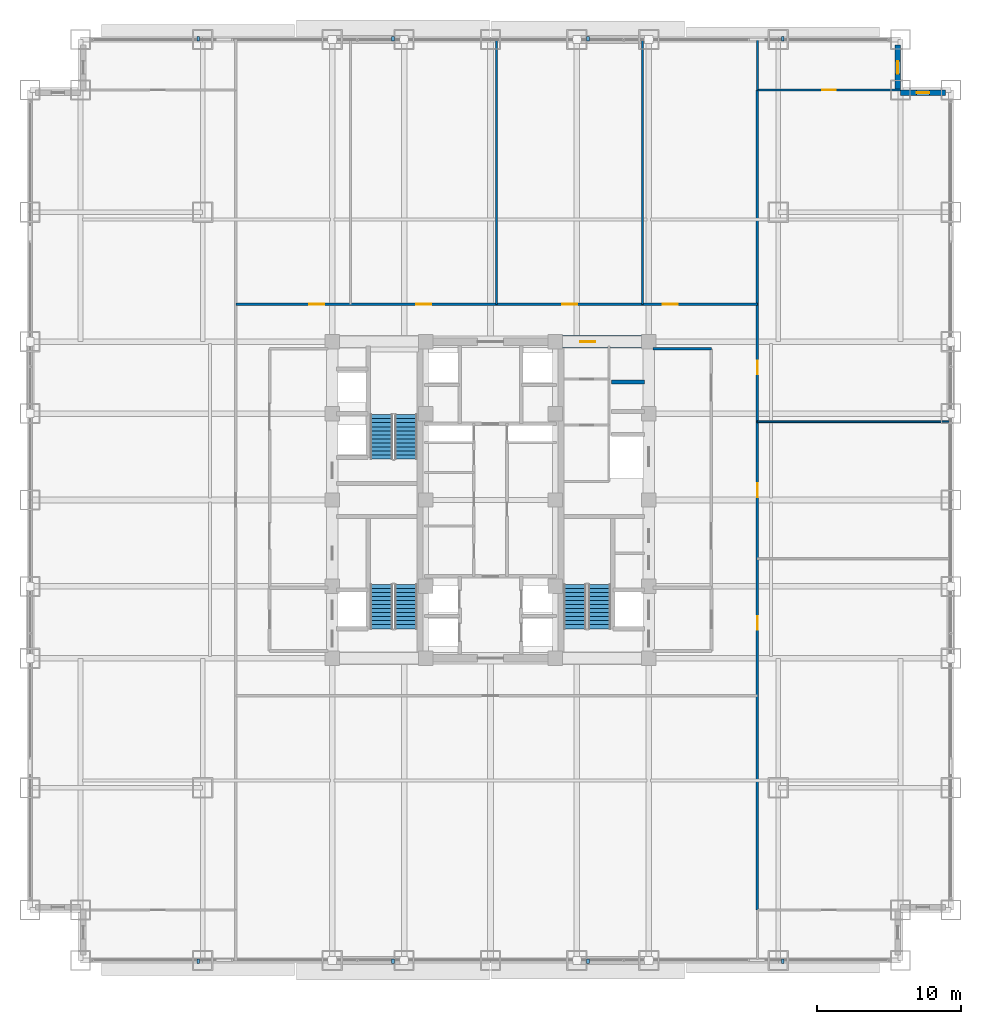
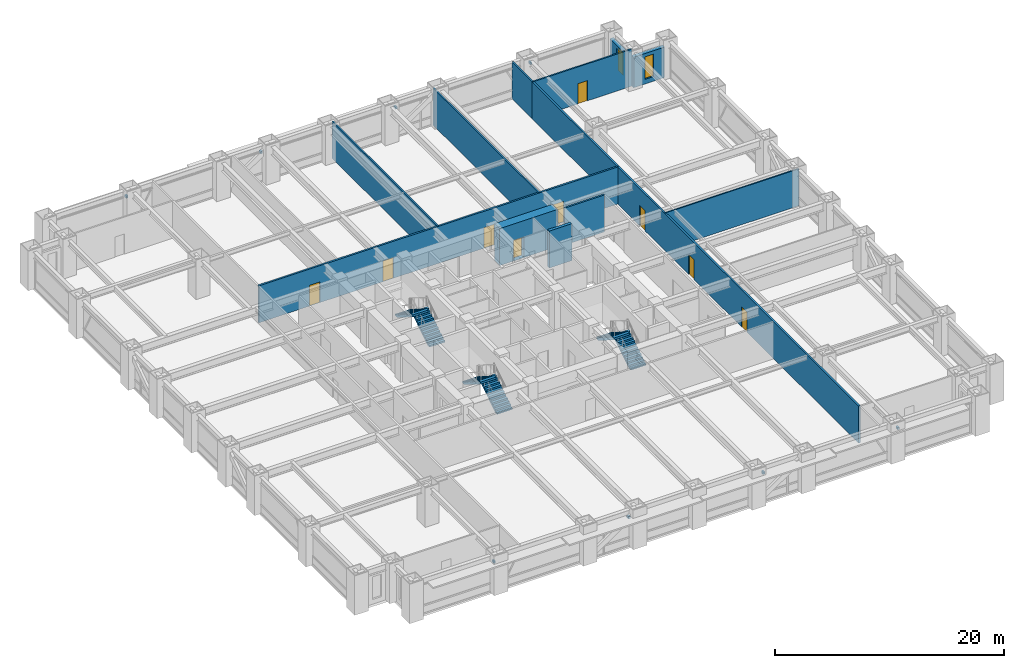
# One storey, part 26 of 31: 12 walls, 9 doors, 8 discrete accessories, 6 stair flights, 2 windows, 11 openings, 3 elements without a shape of their own.
"""IFC4 building model written with IfcOpenShell, lengths in metres."""

import ifcopenshell
import ifcopenshell.guid

model = None  # the IFC model being written
_history = None  # IfcOwnerHistory: only IFC2X3 demands one
_inside = {}  # id of a spatial element -> (the spatial element, [elements in it])
_under = {}  # id of a project, library or spatial element -> (it, [spatial elements below it])
_declared = {}  # id of a project -> (the project, [libraries it declares])
_typed = {}  # id of a type object -> (the type object, [elements of that type])
_made_of = {}  # id of a material, layer set ... -> (it, [elements and type objects made of it])


def new_model(schema):
    """Start an empty IFC model of exactly this schema.

    Asked for "IFC4X3", IfcOpenShell would pick the latest addendum, in which some entities
    have other attributes; the version numbers below select the first issue.
    IFC2X3 requires an IfcOwnerHistory on every rooted entity: one is made here for all.
    """
    global model, _history
    if schema == "IFC4X3":
        model = ifcopenshell.file(schema_version=(4, 3, 0, 0))
    else:
        model = ifcopenshell.file(schema=schema)
    _inside.clear()
    _under.clear()
    _declared.clear()
    _typed.clear()
    _made_of.clear()
    _history = None
    if model.schema == "IFC2X3":
        org = make("IfcOrganization", Name="unknown")
        user = make(
            "IfcPersonAndOrganization",
            ThePerson=make("IfcPerson", FamilyName="unknown"),
            TheOrganization=org,
        )
        app = make(
            "IfcApplication",
            ApplicationDeveloper=org,
            Version="unknown",
            ApplicationFullName="unknown",
            ApplicationIdentifier="unknown",
        )
        _history = make(
            "IfcOwnerHistory",
            OwningUser=user,
            OwningApplication=app,
            ChangeAction="ADDED",
            CreationDate=0,
        )
    return model


def make(cls, **values):
    """One entity of the class cls with the attributes given. An attribute that is None is left unset."""
    return model.create_entity(
        cls, **{name: value for name, value in values.items() if value is not None}
    )


def rooted(cls, **values):
    """An entity with a GlobalId (a new one), such as an element, a storey or a relation."""
    return make(cls, GlobalId=ifcopenshell.guid.new(), OwnerHistory=_history, **values)


def si_unit(unit_type, name, prefix=None):
    """IfcSIUnit, for example si_unit("LENGTHUNIT", "METRE", prefix="MILLI")."""
    return make("IfcSIUnit", UnitType=unit_type, Prefix=prefix, Name=name)


def assignment(units):
    """IfcUnitAssignment: the units of a project."""
    return None if units is None else make("IfcUnitAssignment", Units=units)


def point(xyz):
    """IfcCartesianPoint."""
    return None if xyz is None else make("IfcCartesianPoint", Coordinates=xyz)


def direction(xyz):
    """IfcDirection."""
    return None if xyz is None else make("IfcDirection", DirectionRatios=xyz)


def frame(location, z_axis=None, x_axis=None):
    """IfcAxis2Placement3D, a coordinate frame: its origin and axes. An axis left out is left unset."""
    return make(
        "IfcAxis2Placement3D",
        Location=point(location),
        Axis=direction(z_axis),
        RefDirection=direction(x_axis),
    )


def frame_2d(location, x_axis=None):
    """IfcAxis2Placement2D, a coordinate frame in the plane: its origin and x axis."""
    return make(
        "IfcAxis2Placement2D", Location=point(location), RefDirection=direction(x_axis)
    )


def origin():
    """The frame at (0, 0, 0) with its axes left unset."""
    return frame((0.0, 0.0, 0.0))


def origin_2d():
    """The frame at (0, 0) in the plane with its x axis left unset."""
    return frame_2d((0.0, 0.0))


def place(relative_to, where):
    """IfcLocalPlacement: puts the frame where relative to a parent placement (None: the world)."""
    return make(
        "IfcLocalPlacement", PlacementRelTo=relative_to, RelativePlacement=where
    )


def context(
    kind, dimensions, precision=None, world=None, true_north=None, identifier=None
):
    """IfcGeometricRepresentationContext, for example the 3D "Model" context."""
    return make(
        "IfcGeometricRepresentationContext",
        ContextIdentifier=identifier,
        ContextType=kind,
        CoordinateSpaceDimension=dimensions,
        Precision=precision,
        WorldCoordinateSystem=world,
        TrueNorth=true_north,
    )


def subcontext(parent, identifier, kind, view, scale=None):
    """IfcGeometricRepresentationSubContext, for example "Body" below "Model"."""
    return make(
        "IfcGeometricRepresentationSubContext",
        ContextIdentifier=identifier,
        ContextType=kind,
        ParentContext=parent,
        TargetScale=scale,
        TargetView=view,
    )


def project(units=None, contexts=None):
    """IfcProject with its units and contexts."""
    return rooted(
        "IfcProject",
        Name="project",
        RepresentationContexts=contexts,
        UnitsInContext=assignment(units),
    )


def spatial(cls, under=None, at=None, **own):
    """A site, building, storey or space (cls), placed at a placement, below another one or the project."""
    s = rooted(cls, ObjectPlacement=at, **own)
    if under is not None:
        _under.setdefault(under.id(), (under, []))[1].append(s)
    return s


def polyline(points):
    """IfcPolyline through the points."""
    return make("IfcPolyline", Points=[point(p) for p in points])


def profile(cls, at=None, kind="AREA", **sizes):
    """A parametric profile (cls). Its sizes go by their IFC names, for example OverallWidth=200.0."""
    return make(cls, ProfileType=kind, Position=at, **sizes)


def rectangle(**sizes):
    """IfcRectangleProfileDef."""
    return profile("IfcRectangleProfileDef", **sizes)


def outline(outer, holes=None, kind="AREA"):
    """IfcArbitraryClosedProfileDef: a profile drawn as a closed curve; with holes, ...WithVoids."""
    if holes is None:
        return make("IfcArbitraryClosedProfileDef", ProfileType=kind, OuterCurve=outer)
    return make(
        "IfcArbitraryProfileDefWithVoids",
        ProfileType=kind,
        OuterCurve=outer,
        InnerCurves=holes,
    )


def extrude(swept, where, along, depth):
    """IfcExtrudedAreaSolid: the profile swept, set in the frame where, extruded along a direction by depth."""
    return make(
        "IfcExtrudedAreaSolid",
        SweptArea=swept,
        Position=where,
        ExtrudedDirection=direction(along),
        Depth=depth,
    )


def shape(context_of_items, identifier, shape_type, items):
    """IfcShapeRepresentation: the items that make up one representation, for example the "Body"."""
    return make(
        "IfcShapeRepresentation",
        ContextOfItems=context_of_items,
        RepresentationIdentifier=identifier,
        RepresentationType=shape_type,
        Items=items,
    )


def source(mapping_origin, context_of_items, identifier, shape_type, items):
    """IfcRepresentationMap: a shape defined once, which mapped items show again and again."""
    return make(
        "IfcRepresentationMap",
        MappingOrigin=mapping_origin,
        MappedRepresentation=shape(context_of_items, identifier, shape_type, items),
    )


def transform(
    local_origin,
    x_axis=None,
    y_axis=None,
    z_axis=None,
    scale=None,
    scale2=None,
    scale3=None,
    uniform=True,
):
    """IfcCartesianTransformationOperator3D, or its non-uniform kind. x_axis, y_axis, z_axis: its Axis1, 2, 3."""
    if uniform:
        return make(
            "IfcCartesianTransformationOperator3D",
            Axis1=direction(x_axis),
            Axis2=direction(y_axis),
            LocalOrigin=point(local_origin),
            Scale=scale,
            Axis3=direction(z_axis),
        )
    return make(
        "IfcCartesianTransformationOperator3DnonUniform",
        Axis1=direction(x_axis),
        Axis2=direction(y_axis),
        LocalOrigin=point(local_origin),
        Scale=scale,
        Axis3=direction(z_axis),
        Scale2=scale2,
        Scale3=scale3,
    )


def mapped(mapping_source, mapping_target):
    """IfcMappedItem: shows the shape of a source again, moved by a transform."""
    return make(
        "IfcMappedItem", MappingSource=mapping_source, MappingTarget=mapping_target
    )


def material(Name=None, Category=None):
    """IfcMaterial."""
    return make("IfcMaterial", Name=Name, Category=Category)


def layer(
    of_material, thickness, ventilated=None, Name=None, Category=None, Priority=None
):
    """IfcMaterialLayer: one layer of a wall or slab, of a material (None: an air gap)."""
    return make(
        "IfcMaterialLayer",
        Material=of_material,
        LayerThickness=thickness,
        IsVentilated=ventilated,
        Name=Name,
        Category=Category,
        Priority=Priority,
    )


def layer_set(layers, Name=None):
    """IfcMaterialLayerSet."""
    return make("IfcMaterialLayerSet", MaterialLayers=layers, LayerSetName=Name)


def made_of(thing, what):
    """Note that an element or type object is made of a material, layer set ...; save() writes the relation."""
    if what is not None:
        _made_of.setdefault(what.id(), (what, []))[1].append(thing)
    return thing


def type_object(cls, material=None, **own):
    """A type object (cls), such as IfcWallType, which elements share."""
    return made_of(rooted(cls, **own), material)


def element(
    cls,
    number,
    at=None,
    inside=None,
    cuts=None,
    type_object=None,
    material=None,
    context=None,
    identifier="Body",
    shape_type=None,
    held_by="IfcProductDefinitionShape",
    body=None,
    shapes=None,
    **own,
):
    """One element of the class cls, such as IfcWall. Its Tag is "e" and its number.

    at: its placement. inside: the storey or other place that contains it. cuts: it is an
    opening in that element (IfcRelVoidsElement). A single representation is given by context,
    identifier, shape_type and body (its items); several are given by shapes. held_by: the class
    of the entity that holds the representations. save() writes the other relations.
    """
    e = rooted(cls, Tag="e%d" % number, ObjectPlacement=at, **own)
    if body is not None:
        shapes = [shape(context, identifier, shape_type, body)]
    if shapes is not None:
        e.Representation = make(held_by, Representations=shapes)
    if inside is not None:
        _inside.setdefault(inside.id(), (inside, []))[1].append(e)
    if cuts is not None:
        rooted(
            "IfcRelVoidsElement", RelatingBuildingElement=cuts, RelatedOpeningElement=e
        )
    if type_object is not None:
        _typed.setdefault(type_object.id(), (type_object, []))[1].append(e)
    return made_of(e, material)


def fill(opening, filler):
    """IfcRelFillsElement: the door or window that sits in an opening."""
    return rooted(
        "IfcRelFillsElement",
        RelatingOpeningElement=opening,
        RelatedBuildingElement=filler,
    )


def aggregate(whole, parts):
    """IfcRelAggregates: a whole, such as a stair, and the parts it consists of."""
    return rooted("IfcRelAggregates", RelatingObject=whole, RelatedObjects=parts)


def save(model, path):
    """Write the relations noted so far, then the file.

    IfcRelAggregates (storeys below a building ...), IfcRelContainedInSpatialStructure (elements
    in a storey), IfcRelDefinesByType, IfcRelAssociatesMaterial and IfcRelDeclares: one each for
    every whole, place, type object, material and project.
    """
    for whole, parts in _under.values():
        aggregate(whole, parts)
    for where, things in _inside.values():
        rooted(
            "IfcRelContainedInSpatialStructure",
            RelatedElements=things,
            RelatingStructure=where,
        )
    for kind, things in _typed.values():
        rooted("IfcRelDefinesByType", RelatedObjects=things, RelatingType=kind)
    for what, things in _made_of.values():
        rooted("IfcRelAssociatesMaterial", RelatedObjects=things, RelatingMaterial=what)
    for by, libraries in _declared.values():
        rooted("IfcRelDeclares", RelatingContext=by, RelatedDefinitions=libraries)
    model.write(path)


model = new_model("IFC4")

# Units and contexts
model_context = context("Model", 3, precision=1e-05, world=origin(), true_north=direction((0.0, 1.0)))
body_context = subcontext(model_context, "Body", "Model", "MODEL_VIEW")
ifc_project = project(units=[si_unit("LENGTHUNIT", "METRE"), si_unit("AREAUNIT", "SQUARE_METRE"), si_unit("VOLUMEUNIT", "CUBIC_METRE"), si_unit("PLANEANGLEUNIT", "RADIAN"), si_unit("MASSUNIT", "GRAM", prefix="KILO")], contexts=[model_context])

# Site, building, storey
site_placement = place(None, origin())
site = spatial("IfcSite", under=ifc_project, at=site_placement, CompositionType="ELEMENT")
building_placement = place(site_placement, origin())
building = spatial("IfcBuilding", under=site, at=building_placement, Name="Khorayat Bourse Tower", CompositionType="ELEMENT")
storey_placement = place(building_placement, frame((0.0, 0.0, 41.0)))
storey = spatial("IfcBuildingStorey", under=building, at=storey_placement, Name="L08", CompositionType="ELEMENT", Elevation=41.0)

# Wall, opening, door
ifc_material_1 = material(Name="Concrete C72/90", Category="concrete")
ifc_layer_1 = layer(ifc_material_1, 0.89990234375)
ifc_layer_set_1 = layer_set([ifc_layer_1], Name="Concrete C72/90")
wall_type_1 = type_object("IfcWallType", Name="WAL-CORE-900", PredefinedType="SHEAR", material=ifc_layer_set_1)
shared_shape_1 = source(origin(), body_context, "Body", "SweptSolid", [
    extrude(rectangle(XDim=5.849853515625, YDim=0.89990234375, at=frame_2d((2.9248046875, 0.0))), origin(), (0.0, 0.0, 1.0), 3.93994140625),
])
wall_1_placement = place(storey_placement, frame((4.85009765625, 11.0, 0.0), z_axis=(0.0, 0.0, 1.0), x_axis=(1.0, 0.0, 0.0)))
wall_1 = element("IfcWall", 1, at=wall_1_placement, inside=storey, type_object=wall_type_1, Name="L08 Core Shear Wall PIER-EN", PredefinedType="SHEAR", context=body_context, shape_type="MappedRepresentation", body=[
    mapped(shared_shape_1, transform((0.0, 0.0, 0.0), scale=1.0)),
])
shared_shape_2 = source(origin(), body_context, "Body", "SweptSolid", [
    extrude(rectangle(XDim=1.050048828125, YDim=2.199951171875, at=frame_2d((0.52490234375, 1.10009765625))), frame((0.0, 0.4599609375, 0.0), z_axis=(0.0, -1.0, 0.0), x_axis=(1.0, 0.0, 0.0)), (0.0, 0.0, 1.0), 0.919921875),
])
opening_1_placement = place(wall_1_placement, frame((1.375, 0.0, 0.0)))
opening_1 = element("IfcOpeningElement", 2, at=opening_1_placement, cuts=wall_1, Name="Opening DI-04", PredefinedType="OPENING", context=body_context, shape_type="MappedRepresentation", body=[
    mapped(shared_shape_2, transform((0.0, 0.0, 0.0), scale=1.0)),
])
ifc_material_2 = material(Name="Fire-rated oak veneer suite entrance door")
door_type_1 = type_object("IfcDoorType", Name="DR-INT-SUITE-1050", OperationType="NOTDEFINED", PredefinedType="DOOR", material=ifc_material_2)
shared_shape_3 = source(origin(), body_context, "Body", "SweptSolid", [
    extrude(rectangle(XDim=1.050048828125, YDim=2.199951171875, at=frame_2d((0.52490234375, 1.10009765625))), frame((0.0, 0.02490234375, 0.0), z_axis=(0.0, -1.0, 0.0), x_axis=(1.0, 0.0, 0.0)), (0.0, 0.0, 1.0), 0.050048828125),
])
door_1_placement = place(opening_1_placement, origin())
door_1 = element("IfcDoor", 3, at=door_1_placement, inside=storey, type_object=door_type_1, Name="L08 Core Washroom Lobby Door", OperationType="SINGLE_SWING_LEFT", OverallHeight=2.199951171875, OverallWidth=1.050048828125, PredefinedType="DOOR", context=body_context, shape_type="MappedRepresentation", body=[
    mapped(shared_shape_3, transform((0.0, 0.0, 0.0), scale=1.0)),
])
fill(opening_1, door_1)

# Wall, opening, window
ifc_material_3 = material(Name="Precast concrete C45/55", Category="concrete")
ifc_layer_2 = layer(ifc_material_3, 0.3798828125)
ifc_layer_set_2 = layer_set([ifc_layer_2], Name="Precast concrete C45/55")
wall_type_2 = type_object("IfcWallType", Name="WAL-EXT-STONE-380", PredefinedType="STANDARD", material=ifc_layer_set_2)
shared_shape_4 = source(origin(), body_context, "Body", "SweptSolid", [
    extrude(rectangle(XDim=3.1201171875, YDim=0.3798828125, at=frame_2d((1.56005859375, 0.0))), origin(), (0.0, 0.0, 1.0), 3.2451171875),
])
wall_2_placement = place(storey_placement, frame((28.5, 28.31005859375, 0.0), z_axis=(0.0, 0.0, 1.0), x_axis=(1.0, 0.0, 0.0)))
wall_2 = element("IfcWall", 4, at=wall_2_placement, inside=storey, type_object=wall_type_2, Name="L08 Re-Entrant Notch Limestone Wall NE-H", PredefinedType="STANDARD", context=body_context, shape_type="MappedRepresentation", body=[
    mapped(shared_shape_4, transform((0.0, 0.0, 0.0), scale=1.0)),
])
shared_shape_5 = source(origin(), body_context, "Body", "SweptSolid", [
    extrude(rectangle(XDim=0.89990234375, YDim=2.39990234375, at=frame_2d((0.449951171875, 1.199951171875))), frame((0.0, 0.199951171875, 0.0), z_axis=(0.0, -1.0, 0.0), x_axis=(1.0, 0.0, 0.0)), (0.0, 0.0, 1.0), 0.39990234375),
])
opening_2_placement = place(wall_2_placement, frame((1.110107421875, 0.0, 0.5)))
opening_2 = element("IfcOpeningElement", 5, at=opening_2_placement, cuts=wall_2, Name="Opening WN-03", PredefinedType="OPENING", context=body_context, shape_type="MappedRepresentation", body=[
    mapped(shared_shape_5, transform((0.0, 0.0, 0.0), scale=1.0)),
])
ifc_material_4 = material(Name="Deep-reveal solar-control double glazing", Category="glass")
window_type = type_object("IfcWindowType", Name="WIN-SLOT-900x2400", PartitioningType="SINGLE_PANEL", PredefinedType="WINDOW", material=ifc_material_4)
shared_shape_6 = source(origin(), body_context, "Body", "SweptSolid", [
    extrude(rectangle(XDim=0.89990234375, YDim=2.39990234375, at=frame_2d((0.449951171875, 1.199951171875))), frame((0.0, 0.030029296875, 0.0), z_axis=(0.0, -1.0, 0.0), x_axis=(1.0, 0.0, 0.0)), (0.0, 0.0, 1.0), 0.06005859375),
])
window_1_placement = place(opening_2_placement, origin())
window_1 = element("IfcWindow", 6, at=window_1_placement, inside=storey, type_object=window_type, Name="L08 Facade Window 1", OverallHeight=2.39990234375, OverallWidth=0.89990234375, PartitioningType="SINGLE_PANEL", PredefinedType="WINDOW", context=body_context, shape_type="MappedRepresentation", body=[
    mapped(shared_shape_6, transform((0.0, 0.0, 0.0), scale=1.0)),
])
fill(opening_2, window_1)

wall_3_placement = place(storey_placement, frame((28.31005859375, 28.5, 0.0), z_axis=(0.0, 0.0, 1.0), x_axis=(0.0, 1.0, 0.0)))
wall_3 = element("IfcWall", 7, at=wall_3_placement, inside=storey, type_object=wall_type_2, Name="L08 Re-Entrant Notch Limestone Wall NE-V", PredefinedType="STANDARD", context=body_context, shape_type="MappedRepresentation", body=[
    mapped(shared_shape_4, transform((0.0, 0.0, 0.0), scale=1.0)),
])
opening_3_placement = place(wall_3_placement, frame((1.110107421875, 0.0, 0.5)))
opening_3 = element("IfcOpeningElement", 8, at=opening_3_placement, cuts=wall_3, Name="Opening WN-03", PredefinedType="OPENING", context=body_context, shape_type="MappedRepresentation", body=[
    mapped(shared_shape_5, transform((0.0, 0.0, 0.0), scale=1.0)),
])
window_2_placement = place(opening_3_placement, origin())
window_2 = element("IfcWindow", 9, at=window_2_placement, inside=storey, type_object=window_type, Name="L08 Facade Window 1", OverallHeight=2.39990234375, OverallWidth=0.89990234375, PartitioningType="SINGLE_PANEL", PredefinedType="WINDOW", context=body_context, shape_type="MappedRepresentation", body=[
    mapped(shared_shape_6, transform((0.0, 0.0, 0.0), scale=1.0)),
])
fill(opening_3, window_2)

# Walls
ifc_material_5 = material(Name="Concrete C50/60", Category="concrete")
ifc_layer_3 = layer(ifc_material_5, 0.300048828125)
ifc_layer_set_3 = layer_set([ifc_layer_3], Name="Concrete C50/60")
wall_type_3 = type_object("IfcWallType", Name="WAL-SHAFT-300", PredefinedType="SHEAR", material=ifc_layer_set_3)
shared_shape_7 = source(origin(), body_context, "Body", "SweptSolid", [
    extrude(rectangle(XDim=2.300048828125, YDim=0.300048828125, at=frame_2d((1.14990234375, 0.0))), origin(), (0.0, 0.0, 1.0), 3.93994140625),
])
wall_4_placement = place(storey_placement, frame((8.39990234375, 8.199951171875, 0.0), z_axis=(0.0, 0.0, 1.0), x_axis=(1.0, 0.0, 0.0)))
element("IfcWall", 10, at=wall_4_placement, inside=storey, type_object=wall_type_3, Name="L08 Partition WAL-L08-EPIER-H34", PredefinedType="SHEAR", context=body_context, shape_type="MappedRepresentation", body=[
    mapped(shared_shape_7, transform((0.0, 0.0, 0.0), scale=1.0)),
])
ifc_material_6 = material(Name="Gypsum plasterboard acoustic stud wall")
ifc_layer_4 = layer(ifc_material_6, 0.179931640625)
ifc_layer_set_4 = layer_set([ifc_layer_4], Name="Gypsum plasterboard acoustic stud wall")
wall_type_4 = type_object("IfcWallType", Name="WAL-PART-CORR-180", PredefinedType="PARTITIONING", material=ifc_layer_set_4)
shared_shape_8 = source(origin(), body_context, "Body", "SweptSolid", [
    extrude(rectangle(XDim=4.050048828125, YDim=0.179931640625, at=frame_2d((2.02490234375, 0.0))), origin(), (0.0, 0.0, 1.0), 3.93994140625),
])
wall_5_placement = place(storey_placement, frame((11.300048828125, 10.5, 0.0), z_axis=(0.0, 0.0, 1.0), x_axis=(1.0, 0.0, 0.0)))
element("IfcWall", 11, at=wall_5_placement, inside=storey, type_object=wall_type_4, Name="L08 Partition WAL-L08-ELOB-N", PredefinedType="PARTITIONING", context=body_context, shape_type="MappedRepresentation", body=[
    mapped(shared_shape_8, transform((0.0, 0.0, 0.0), scale=1.0)),
])

# Wall, openings, doors
shared_shape_9 = source(origin(), body_context, "Body", "SweptSolid", [
    extrude(rectangle(XDim=36.25, YDim=0.179931640625, at=frame_2d((18.125, 0.0))), origin(), (0.0, 0.0, 1.0), 3.93994140625),
])
wall_6_placement = place(storey_placement, frame((-17.699951171875, 13.60009765625, 0.0), z_axis=(0.0, 0.0, 1.0), x_axis=(1.0, 0.0, 0.0)))
wall_6 = element("IfcWall", 12, at=wall_6_placement, inside=storey, type_object=wall_type_4, Name="L08 Partition WAL-L08-NCORR", PredefinedType="PARTITIONING", context=body_context, shape_type="MappedRepresentation", body=[
    mapped(shared_shape_9, transform((0.0, 0.0, 0.0), scale=1.0)),
])
shared_shape_10 = source(origin(), body_context, "Body", "SweptSolid", [
    extrude(rectangle(XDim=1.050048828125, YDim=2.199951171875, at=frame_2d((0.52490234375, 1.10009765625))), frame((0.0, 0.099853515625, 0.0), z_axis=(0.0, -1.0, 0.0), x_axis=(1.0, 0.0, 0.0)), (0.0, 0.0, 1.0), 0.199951171875),
])
opening_4_placement = place(wall_6_placement, frame((5.112548828125, 0.0, 0.0)))
opening_4 = element("IfcOpeningElement", 13, at=opening_4_placement, cuts=wall_6, Name="Opening DI-04", PredefinedType="OPENING", context=body_context, shape_type="MappedRepresentation", body=[
    mapped(shared_shape_10, transform((0.0, 0.0, 0.0), scale=1.0)),
])
opening_5_placement = place(wall_6_placement, frame((12.52490234375, 0.0, 0.0)))
opening_5 = element("IfcOpeningElement", 14, at=opening_5_placement, cuts=wall_6, Name="Opening DI-04", PredefinedType="OPENING", context=body_context, shape_type="MappedRepresentation", body=[
    mapped(shared_shape_10, transform((0.0, 0.0, 0.0), scale=1.0)),
])
opening_6_placement = place(wall_6_placement, frame((22.675048828125, 0.0, 0.0)))
opening_6 = element("IfcOpeningElement", 15, at=opening_6_placement, cuts=wall_6, Name="Opening DI-04", PredefinedType="OPENING", context=body_context, shape_type="MappedRepresentation", body=[
    mapped(shared_shape_10, transform((0.0, 0.0, 0.0), scale=1.0)),
])
opening_7_placement = place(wall_6_placement, frame((29.66259765625, 0.0, 0.0)))
opening_7 = element("IfcOpeningElement", 16, at=opening_7_placement, cuts=wall_6, Name="Opening DI-04", PredefinedType="OPENING", context=body_context, shape_type="MappedRepresentation", body=[
    mapped(shared_shape_10, transform((0.0, 0.0, 0.0), scale=1.0)),
])
door_2_placement = place(opening_4_placement, origin())
door_2 = element("IfcDoor", 17, at=door_2_placement, inside=storey, type_object=door_type_1, Name="L08 Equities Trading Desk N1 Door", OperationType="SINGLE_SWING_RIGHT", OverallHeight=2.199951171875, OverallWidth=1.050048828125, PredefinedType="DOOR", context=body_context, shape_type="MappedRepresentation", body=[
    mapped(shared_shape_3, transform((0.0, 0.0, 0.0), scale=1.0)),
])
fill(opening_4, door_2)
door_3_placement = place(opening_5_placement, origin())
door_3 = element("IfcDoor", 18, at=door_3_placement, inside=storey, type_object=door_type_1, Name="L08 Equities Trading Desk N2 Door", OperationType="SINGLE_SWING_LEFT", OverallHeight=2.199951171875, OverallWidth=1.050048828125, PredefinedType="DOOR", context=body_context, shape_type="MappedRepresentation", body=[
    mapped(shared_shape_3, transform((0.0, 0.0, 0.0), scale=1.0)),
])
fill(opening_5, door_3)
door_4_placement = place(opening_6_placement, origin())
door_4 = element("IfcDoor", 19, at=door_4_placement, inside=storey, type_object=door_type_1, Name="L08 Equities Trading Desk N3 Door", OperationType="SINGLE_SWING_RIGHT", OverallHeight=2.199951171875, OverallWidth=1.050048828125, PredefinedType="DOOR", context=body_context, shape_type="MappedRepresentation", body=[
    mapped(shared_shape_3, transform((0.0, 0.0, 0.0), scale=1.0)),
])
fill(opening_6, door_4)
door_5_placement = place(opening_7_placement, origin())
door_5 = element("IfcDoor", 20, at=door_5_placement, inside=storey, type_object=door_type_1, Name="L08 Staff Tea Pantry N4 Door", OperationType="SINGLE_SWING_LEFT", OverallHeight=2.199951171875, OverallWidth=1.050048828125, PredefinedType="DOOR", context=body_context, shape_type="MappedRepresentation", body=[
    mapped(shared_shape_3, transform((0.0, 0.0, 0.0), scale=1.0)),
])
fill(opening_7, door_5)

# Walls
ifc_material_7 = material(Name="Gypsum plasterboard twin-frame partition")
ifc_layer_5 = layer(ifc_material_7, 0.14990234375)
ifc_layer_set_5 = layer_set([ifc_layer_5], Name="Gypsum plasterboard twin-frame partition")
wall_type_5 = type_object("IfcWallType", Name="WAL-PART-SUITE-150", PredefinedType="PARTITIONING", material=ifc_layer_set_5)
shared_shape_11 = source(origin(), body_context, "Body", "SweptSolid", [
    extrude(rectangle(XDim=18.39990234375, YDim=0.14990234375, at=frame_2d((9.199951171875, 0.0))), origin(), (0.0, 0.0, 1.0), 3.93994140625),
])
for number, where, z_axis, x_axis, name in (
    (21, (0.425048828125, 13.60009765625, 0.0), (0.0, 0.0, 1.0), (0.0, 1.0, 0.0), "L08 Partition WAL-L08-NDV-2"),
    (22, (10.574951171875, 13.60009765625, 0.0), (0.0, 0.0, 1.0), (0.0, 1.0, 0.0), "L08 Partition WAL-L08-NDV-3"),
):
    element("IfcWall", number, at=place(storey_placement, frame(where, z_axis=z_axis, x_axis=x_axis)), inside=storey, type_object=wall_type_5, Name=name, PredefinedType="PARTITIONING", context=body_context, shape_type="MappedRepresentation", body=[
        mapped(shared_shape_11, transform((0.0, 0.0, 0.0), scale=1.0)),
    ])
shared_shape_12 = source(origin(), body_context, "Body", "SweptSolid", [
    extrude(rectangle(XDim=3.5, YDim=0.14990234375, at=frame_2d((1.75, 0.0))), origin(), (0.0, 0.0, 1.0), 3.93994140625),
])
wall_7_placement = place(storey_placement, frame((18.550048828125, 28.5, 0.0), z_axis=(0.0, 0.0, 1.0), x_axis=(0.0, 1.0, 0.0)))
element("IfcWall", 23, at=wall_7_placement, inside=storey, type_object=wall_type_5, Name="L08 Partition WAL-L08-NCE-END", PredefinedType="PARTITIONING", context=body_context, shape_type="MappedRepresentation", body=[
    mapped(shared_shape_12, transform((0.0, 0.0, 0.0), scale=1.0)),
])

# Wall, openings, doors
shared_shape_13 = source(origin(), body_context, "Body", "SweptSolid", [
    extrude(rectangle(XDim=57.0, YDim=0.179931640625, at=frame_2d((28.5, 0.0))), origin(), (0.0, 0.0, 1.0), 3.93994140625),
])
wall_8_placement = place(storey_placement, frame((18.550048828125, -28.5, 0.0), z_axis=(0.0, 0.0, 1.0), x_axis=(0.0, 1.0, 0.0)))
wall_8 = element("IfcWall", 24, at=wall_8_placement, inside=storey, type_object=wall_type_4, Name="L08 Partition WAL-L08-ECORR", PredefinedType="PARTITIONING", context=body_context, shape_type="MappedRepresentation", body=[
    mapped(shared_shape_13, transform((0.0, 0.0, 0.0), scale=1.0)),
])
shared_shape_14 = source(origin(), body_context, "Body", "SweptSolid", [
    extrude(rectangle(XDim=0.949951171875, YDim=2.14990234375, at=frame_2d((0.47509765625, 1.074951171875))), frame((0.0, 0.099853515625, 0.0), z_axis=(0.0, -1.0, 0.0), x_axis=(1.0, 0.0, 0.0)), (0.0, 0.0, 1.0), 0.199951171875),
])
opening_8_placement = place(wall_8_placement, frame((19.485107421875, 0.0, 0.0)))
opening_8 = element("IfcOpeningElement", 25, at=opening_8_placement, cuts=wall_8, Name="Opening DI-05", PredefinedType="OPENING", context=body_context, shape_type="MappedRepresentation", body=[
    mapped(shared_shape_14, transform((0.0, 0.0, 0.0), scale=1.0)),
])
opening_9_placement = place(wall_8_placement, frame((28.705078125, 0.0, 0.0)))
opening_9 = element("IfcOpeningElement", 26, at=opening_9_placement, cuts=wall_8, Name="Opening DI-05", PredefinedType="OPENING", context=body_context, shape_type="MappedRepresentation", body=[
    mapped(shared_shape_14, transform((0.0, 0.0, 0.0), scale=1.0)),
])
opening_10_placement = place(wall_8_placement, frame((37.2451171875, 0.0, 0.0)))
opening_10 = element("IfcOpeningElement", 27, at=opening_10_placement, cuts=wall_8, Name="Opening DI-05", PredefinedType="OPENING", context=body_context, shape_type="MappedRepresentation", body=[
    mapped(shared_shape_14, transform((0.0, 0.0, 0.0), scale=1.0)),
])
ifc_material_8 = material(Name="Acoustic oak veneer office door")
door_type_2 = type_object("IfcDoorType", Name="DR-INT-OFFICE-950", OperationType="NOTDEFINED", PredefinedType="DOOR", material=ifc_material_8)
shared_shape_15 = source(origin(), body_context, "Body", "SweptSolid", [
    extrude(rectangle(XDim=0.949951171875, YDim=2.14990234375, at=frame_2d((0.47509765625, 1.074951171875))), frame((0.0, 0.02490234375, 0.0), z_axis=(0.0, -1.0, 0.0), x_axis=(1.0, 0.0, 0.0)), (0.0, 0.0, 1.0), 0.050048828125),
])
door_6_placement = place(opening_8_placement, origin())
door_6 = element("IfcDoor", 28, at=door_6_placement, inside=storey, type_object=door_type_2, Name="L08 Executive Boardroom E1 Door", OperationType="SINGLE_SWING_RIGHT", OverallHeight=2.14990234375, OverallWidth=0.949951171875, PredefinedType="DOOR", context=body_context, shape_type="MappedRepresentation", body=[
    mapped(shared_shape_15, transform((0.0, 0.0, 0.0), scale=1.0)),
])
fill(opening_8, door_6)
door_7_placement = place(opening_9_placement, origin())
door_7 = element("IfcDoor", 29, at=door_7_placement, inside=storey, type_object=door_type_2, Name="L08 Equities Trading Desk E2 Door", OperationType="SINGLE_SWING_LEFT", OverallHeight=2.14990234375, OverallWidth=0.949951171875, PredefinedType="DOOR", context=body_context, shape_type="MappedRepresentation", body=[
    mapped(shared_shape_15, transform((0.0, 0.0, 0.0), scale=1.0)),
])
fill(opening_9, door_7)
door_8_placement = place(opening_10_placement, origin())
door_8 = element("IfcDoor", 30, at=door_8_placement, inside=storey, type_object=door_type_2, Name="L08 Equities Trading Desk E3 Door", OperationType="SINGLE_SWING_RIGHT", OverallHeight=2.14990234375, OverallWidth=0.949951171875, PredefinedType="DOOR", context=body_context, shape_type="MappedRepresentation", body=[
    mapped(shared_shape_15, transform((0.0, 0.0, 0.0), scale=1.0)),
])
fill(opening_10, door_8)

# Wall
ifc_material_9 = material(Name="Gypsum plasterboard partition")
ifc_layer_6 = layer(ifc_material_9, 0.125)
ifc_layer_set_6 = layer_set([ifc_layer_6], Name="Gypsum plasterboard partition")
wall_type_6 = type_object("IfcWallType", Name="WAL-PART-ROOM-125", PredefinedType="PARTITIONING", material=ifc_layer_set_6)
shared_shape_16 = source(origin(), body_context, "Body", "SweptSolid", [
    extrude(rectangle(XDim=13.449951171875, YDim=0.125, at=frame_2d((6.72509765625, 0.0))), origin(), (0.0, 0.0, 1.0), 3.93994140625),
])
wall_9_placement = place(storey_placement, frame((18.550048828125, 5.43994140625, 0.0), z_axis=(0.0, 0.0, 1.0), x_axis=(1.0, 0.0, 0.0)))
element("IfcWall", 31, at=wall_9_placement, inside=storey, type_object=wall_type_6, Name="L08 Partition WAL-L08-EDV-2", PredefinedType="PARTITIONING", context=body_context, shape_type="MappedRepresentation", body=[
    mapped(shared_shape_16, transform((0.0, 0.0, 0.0), scale=1.0)),
])

# Wall, opening, door
shared_shape_17 = source(origin(), body_context, "Body", "SweptSolid", [
    extrude(rectangle(XDim=9.949951171875, YDim=0.14990234375, at=frame_2d((4.97509765625, 0.0))), origin(), (0.0, 0.0, 1.0), 3.93994140625),
])
wall_10_placement = place(storey_placement, frame((18.550048828125, 28.5, 0.0), z_axis=(0.0, 0.0, 1.0), x_axis=(1.0, 0.0, 0.0)))
wall_10 = element("IfcWall", 32, at=wall_10_placement, inside=storey, type_object=wall_type_5, Name="L08 Partition WAL-L08-CNE", PredefinedType="PARTITIONING", context=body_context, shape_type="MappedRepresentation", body=[
    mapped(shared_shape_17, transform((0.0, 0.0, 0.0), scale=1.0)),
])
shared_shape_18 = source(origin(), body_context, "Body", "SweptSolid", [
    extrude(rectangle(XDim=0.949951171875, YDim=2.14990234375, at=frame_2d((0.47509765625, 1.074951171875))), frame((0.0, 0.0849609375, 0.0), z_axis=(0.0, -1.0, 0.0), x_axis=(1.0, 0.0, 0.0)), (0.0, 0.0, 1.0), 0.169921875),
])
opening_11_placement = place(wall_10_placement, frame((4.5, 0.0, 0.0)))
opening_11 = element("IfcOpeningElement", 33, at=opening_11_placement, cuts=wall_10, Name="Opening DI-05", PredefinedType="OPENING", context=body_context, shape_type="MappedRepresentation", body=[
    mapped(shared_shape_18, transform((0.0, 0.0, 0.0), scale=1.0)),
])
door_9_placement = place(opening_11_placement, origin())
door_9 = element("IfcDoor", 34, at=door_9_placement, inside=storey, type_object=door_type_2, Name="L08 North-East Corner Lounge Door", OperationType="SINGLE_SWING_LEFT", OverallHeight=2.14990234375, OverallWidth=0.949951171875, PredefinedType="DOOR", context=body_context, shape_type="MappedRepresentation", body=[
    mapped(shared_shape_15, transform((0.0, 0.0, 0.0), scale=1.0)),
])
fill(opening_11, door_9)

# Stair, stair flights
ifc_material_10 = material(Name="Concrete C40/50", Category="concrete")
stair_type = type_object("IfcStairType", Name="STR-CORE-1550", PredefinedType="HALF_TURN_STAIR", material=ifc_material_10)
stair_1_placement = place(storey_placement, origin())
stair_1 = element("IfcStair", 35, at=stair_1_placement, inside=storey, type_object=stair_type, Name="L08 Exit Stair ST-1", PredefinedType="HALF_TURN_STAIR")
stair_flight_type = type_object("IfcStairFlightType", Name="FLT-CORE-1550", PredefinedType="STRAIGHT", material=ifc_material_10)
shared_shape_19 = source(origin(), body_context, "Body", "SweptSolid", [
    extrude(outline(polyline([(0.0, 0.0), (0.0, 0.175048828125), (0.280029296875, 0.175048828125), (0.280029296875, 0.35009765625), (0.56005859375, 0.35009765625), (0.56005859375, 0.52490234375), (0.840087890625, 0.52490234375), (0.840087890625, 0.699951171875), (1.1201171875, 0.699951171875), (1.1201171875, 0.875), (1.39990234375, 0.875), (1.39990234375, 1.050048828125), (1.679931640625, 1.050048828125), (1.679931640625, 1.22509765625), (1.9599609375, 1.22509765625), (1.9599609375, 1.39990234375), (2.239990234375, 1.39990234375), (2.239990234375, 1.574951171875), (2.52001953125, 1.574951171875), (2.52001953125, 1.75), (2.800048828125, 1.75), (2.800048828125, 1.925048828125), (3.080078125, 1.925048828125), (3.080078125, 2.10009765625), (3.080078125, 1.712890625), (0.339599609375, 0.0), (0.0, 0.0)])), frame((0.0, 0.77490234375, 0.0), z_axis=(0.0, -1.0, 0.0), x_axis=(1.0, 0.0, 0.0)), (0.0, 0.0, 1.0), 1.550048828125),
])
stair_flight_1_placement = place(storey_placement, frame((-5.875, -8.949951171875, 0.0), z_axis=(0.0, 0.0, 1.0), x_axis=(0.0, 1.0, 0.0)))
stair_flight_1 = element("IfcStairFlight", 36, at=stair_flight_1_placement, type_object=stair_flight_type, Name="ST-1 flight 1", NumberOfRisers=12, NumberOfTreads=11, PredefinedType="STRAIGHT", RiserHeight=0.175, TreadLength=0.28, context=body_context, shape_type="MappedRepresentation", body=[
    mapped(shared_shape_19, transform((0.0, 0.0, 0.0), scale=1.0)),
])
stair_flight_2_placement = place(storey_placement, frame((-7.574951171875, -5.8701171875, 2.10009765625), z_axis=(0.0, 0.0, 1.0), x_axis=(0.0, -1.0, 0.0)))
stair_flight_2 = element("IfcStairFlight", 37, at=stair_flight_2_placement, type_object=stair_flight_type, Name="ST-1 flight 2", NumberOfRisers=12, NumberOfTreads=11, PredefinedType="STRAIGHT", RiserHeight=0.175, TreadLength=0.28, context=body_context, shape_type="MappedRepresentation", body=[
    mapped(shared_shape_19, transform((0.0, 0.0, 0.0), scale=1.0)),
])
aggregate(stair_1, [stair_flight_1, stair_flight_2])

stair_2_placement = place(storey_placement, origin())
stair_2 = element("IfcStair", 38, at=stair_2_placement, inside=storey, type_object=stair_type, Name="L08 Exit Stair ST-2", PredefinedType="HALF_TURN_STAIR")
stair_flight_3_placement = place(storey_placement, frame((-5.875, 2.85009765625, 0.0), z_axis=(0.0, 0.0, 1.0), x_axis=(0.0, 1.0, 0.0)))
stair_flight_3 = element("IfcStairFlight", 39, at=stair_flight_3_placement, type_object=stair_flight_type, Name="ST-2 flight 1", NumberOfRisers=12, NumberOfTreads=11, PredefinedType="STRAIGHT", RiserHeight=0.175, TreadLength=0.28, context=body_context, shape_type="MappedRepresentation", body=[
    mapped(shared_shape_19, transform((0.0, 0.0, 0.0), scale=1.0)),
])
stair_flight_4_placement = place(storey_placement, frame((-7.574951171875, 5.929931640625, 2.10009765625), z_axis=(0.0, 0.0, 1.0), x_axis=(0.0, -1.0, 0.0)))
stair_flight_4 = element("IfcStairFlight", 40, at=stair_flight_4_placement, type_object=stair_flight_type, Name="ST-2 flight 2", NumberOfRisers=12, NumberOfTreads=11, PredefinedType="STRAIGHT", RiserHeight=0.175, TreadLength=0.28, context=body_context, shape_type="MappedRepresentation", body=[
    mapped(shared_shape_19, transform((0.0, 0.0, 0.0), scale=1.0)),
])
aggregate(stair_2, [stair_flight_3, stair_flight_4])

stair_3_placement = place(storey_placement, origin())
stair_3 = element("IfcStair", 41, at=stair_3_placement, inside=storey, type_object=stair_type, Name="L08 Exit Stair ST-3", PredefinedType="HALF_TURN_STAIR")
stair_flight_5_placement = place(storey_placement, frame((7.574951171875, -8.949951171875, 0.0), z_axis=(0.0, 0.0, 1.0), x_axis=(0.0, 1.0, 0.0)))
stair_flight_5 = element("IfcStairFlight", 42, at=stair_flight_5_placement, type_object=stair_flight_type, Name="ST-3 flight 1", NumberOfRisers=12, NumberOfTreads=11, PredefinedType="STRAIGHT", RiserHeight=0.175, TreadLength=0.28, context=body_context, shape_type="MappedRepresentation", body=[
    mapped(shared_shape_19, transform((0.0, 0.0, 0.0), scale=1.0)),
])
stair_flight_6_placement = place(storey_placement, frame((5.875, -5.8701171875, 2.10009765625), z_axis=(0.0, 0.0, 1.0), x_axis=(0.0, -1.0, 0.0)))
stair_flight_6 = element("IfcStairFlight", 43, at=stair_flight_6_placement, type_object=stair_flight_type, Name="ST-3 flight 2", NumberOfRisers=12, NumberOfTreads=11, PredefinedType="STRAIGHT", RiserHeight=0.175, TreadLength=0.28, context=body_context, shape_type="MappedRepresentation", body=[
    mapped(shared_shape_19, transform((0.0, 0.0, 0.0), scale=1.0)),
])
aggregate(stair_3, [stair_flight_5, stair_flight_6])

# Discrete accessories
ifc_material_11 = material(Name="Steel EN 10025-2 S355J2", Category="steel")
discrete_accessory_type = type_object("IfcDiscreteAccessoryType", Name="ACC-SHADE-BRACKET", PredefinedType="BRACKET", material=ifc_material_11)
shared_shape_20 = source(origin(), body_context, "Body", "SweptSolid", [
    extrude(rectangle(XDim=0.179931640625, YDim=0.300048828125, at=origin_2d()), origin(), (0.0, 0.0, 1.0), 0.239990234375),
])
for number, where, z_axis, x_axis, name in (
    (44, (-20.324951171875, -32.06005859375, 3.0400390625), (0.0, 0.0, 1.0), (1.0, 0.0, 0.0), "L08 Sunshade Support Bracket S-1"),
    (45, (-6.77490234375, -32.06005859375, 3.0400390625), (0.0, 0.0, 1.0), (1.0, 0.0, 0.0), "L08 Sunshade Support Bracket S-2"),
    (46, (6.77490234375, -32.06005859375, 3.0400390625), (0.0, 0.0, 1.0), (1.0, 0.0, 0.0), "L08 Sunshade Support Bracket S-3"),
    (47, (20.324951171875, -32.06005859375, 3.0400390625), (0.0, 0.0, 1.0), (1.0, 0.0, 0.0), "L08 Sunshade Support Bracket S-4"),
    (48, (-20.324951171875, 32.06005859375, 3.0400390625), (0.0, 0.0, 1.0), (1.0, 0.0, 0.0), "L08 Sunshade Support Bracket N-1"),
    (49, (-6.77490234375, 32.06005859375, 3.0400390625), (0.0, 0.0, 1.0), (1.0, 0.0, 0.0), "L08 Sunshade Support Bracket N-2"),
    (50, (6.77490234375, 32.06005859375, 3.0400390625), (0.0, 0.0, 1.0), (1.0, 0.0, 0.0), "L08 Sunshade Support Bracket N-3"),
    (51, (20.324951171875, 32.06005859375, 3.0400390625), (0.0, 0.0, 1.0), (1.0, 0.0, 0.0), "L08 Sunshade Support Bracket N-4"),
):
    element("IfcDiscreteAccessory", number, at=place(storey_placement, frame(where, z_axis=z_axis, x_axis=x_axis)), inside=storey, type_object=discrete_accessory_type, Name=name, PredefinedType="BRACKET", context=body_context, shape_type="MappedRepresentation", body=[
        mapped(shared_shape_20, transform((0.0, 0.0, 0.0), scale=1.0)),
    ])

save(model, "model.ifc")
